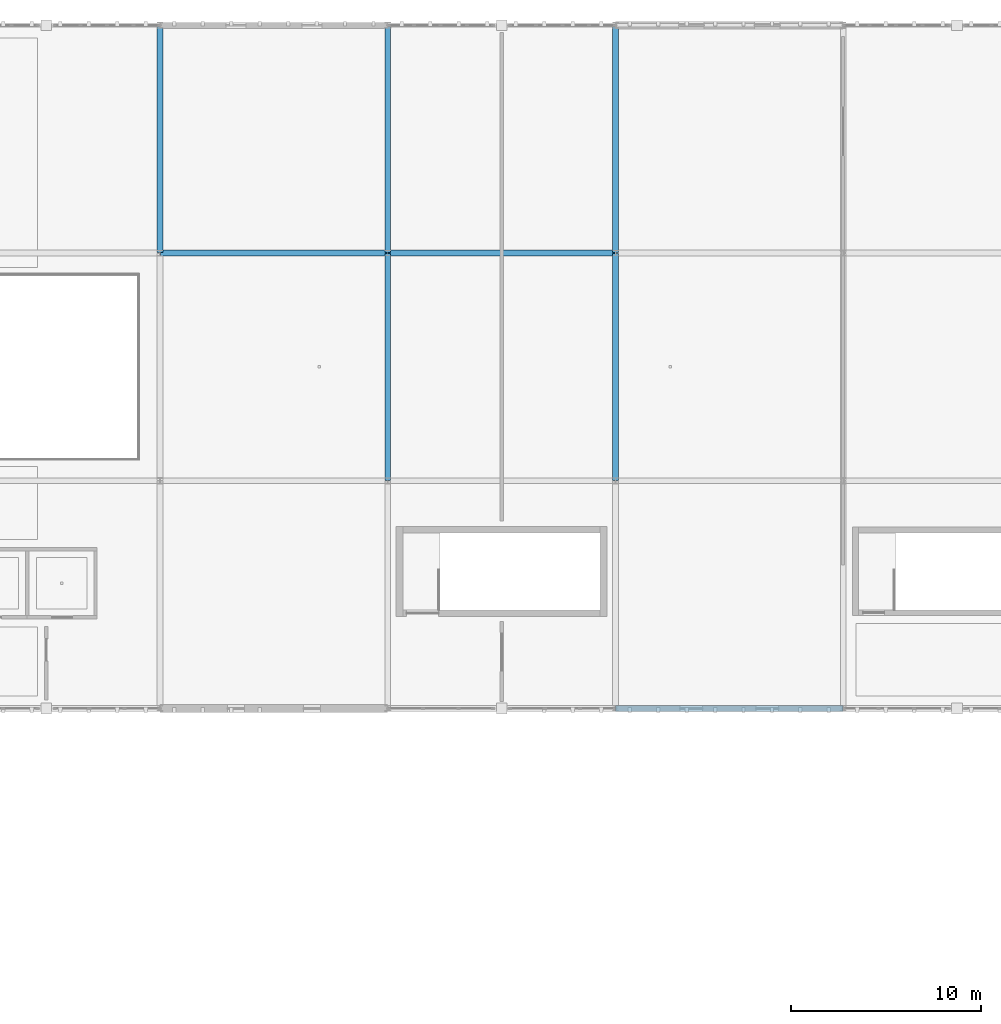
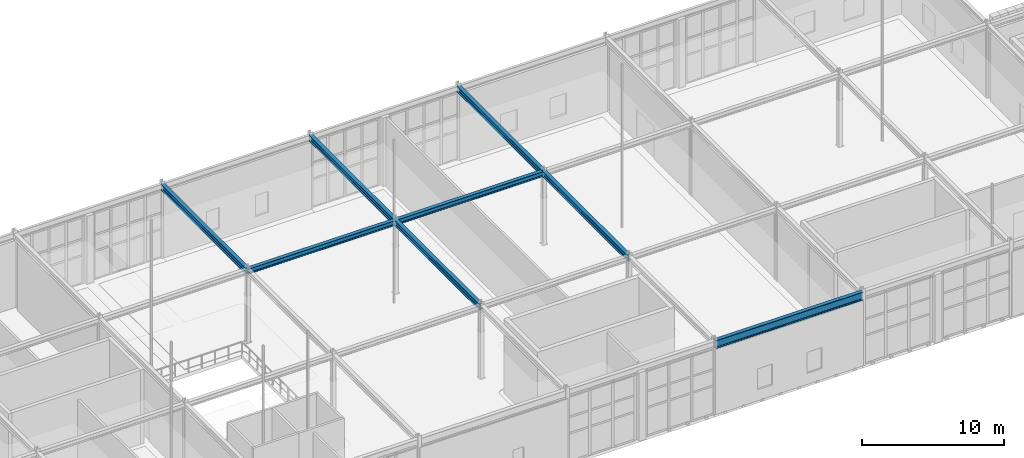
# One storey, part 19 of 62: 8 beams.
"""IFC4 building model written with IfcOpenShell, lengths in metres."""

import ifcopenshell
import ifcopenshell.guid

model = None  # the IFC model being written
_history = None  # IfcOwnerHistory: only IFC2X3 demands one
_inside = {}  # id of a spatial element -> (the spatial element, [elements in it])
_under = {}  # id of a project, library or spatial element -> (it, [spatial elements below it])
_declared = {}  # id of a project -> (the project, [libraries it declares])
_typed = {}  # id of a type object -> (the type object, [elements of that type])
_made_of = {}  # id of a material, layer set ... -> (it, [elements and type objects made of it])


def new_model(schema):
    """Start an empty IFC model of exactly this schema.

    Asked for "IFC4X3", IfcOpenShell would pick the latest addendum, in which some entities
    have other attributes; the version numbers below select the first issue.
    IFC2X3 requires an IfcOwnerHistory on every rooted entity: one is made here for all.
    """
    global model, _history
    if schema == "IFC4X3":
        model = ifcopenshell.file(schema_version=(4, 3, 0, 0))
    else:
        model = ifcopenshell.file(schema=schema)
    _inside.clear()
    _under.clear()
    _declared.clear()
    _typed.clear()
    _made_of.clear()
    _history = None
    if model.schema == "IFC2X3":
        org = make("IfcOrganization", Name="unknown")
        user = make(
            "IfcPersonAndOrganization",
            ThePerson=make("IfcPerson", FamilyName="unknown"),
            TheOrganization=org,
        )
        app = make(
            "IfcApplication",
            ApplicationDeveloper=org,
            Version="unknown",
            ApplicationFullName="unknown",
            ApplicationIdentifier="unknown",
        )
        _history = make(
            "IfcOwnerHistory",
            OwningUser=user,
            OwningApplication=app,
            ChangeAction="ADDED",
            CreationDate=0,
        )
    return model


def make(cls, **values):
    """One entity of the class cls with the attributes given. An attribute that is None is left unset."""
    return model.create_entity(
        cls, **{name: value for name, value in values.items() if value is not None}
    )


def rooted(cls, **values):
    """An entity with a GlobalId (a new one), such as an element, a storey or a relation."""
    return make(cls, GlobalId=ifcopenshell.guid.new(), OwnerHistory=_history, **values)


def si_unit(unit_type, name, prefix=None):
    """IfcSIUnit, for example si_unit("LENGTHUNIT", "METRE", prefix="MILLI")."""
    return make("IfcSIUnit", UnitType=unit_type, Prefix=prefix, Name=name)


def assignment(units):
    """IfcUnitAssignment: the units of a project."""
    return None if units is None else make("IfcUnitAssignment", Units=units)


def point(xyz):
    """IfcCartesianPoint."""
    return None if xyz is None else make("IfcCartesianPoint", Coordinates=xyz)


def direction(xyz):
    """IfcDirection."""
    return None if xyz is None else make("IfcDirection", DirectionRatios=xyz)


def frame(location, z_axis=None, x_axis=None):
    """IfcAxis2Placement3D, a coordinate frame: its origin and axes. An axis left out is left unset."""
    return make(
        "IfcAxis2Placement3D",
        Location=point(location),
        Axis=direction(z_axis),
        RefDirection=direction(x_axis),
    )


def frame_2d(location, x_axis=None):
    """IfcAxis2Placement2D, a coordinate frame in the plane: its origin and x axis."""
    return make(
        "IfcAxis2Placement2D", Location=point(location), RefDirection=direction(x_axis)
    )


def origin():
    """The frame at (0, 0, 0) with its axes left unset."""
    return frame((0.0, 0.0, 0.0))


def origin_2d():
    """The frame at (0, 0) in the plane with its x axis left unset."""
    return frame_2d((0.0, 0.0))


def place(relative_to, where):
    """IfcLocalPlacement: puts the frame where relative to a parent placement (None: the world)."""
    return make(
        "IfcLocalPlacement", PlacementRelTo=relative_to, RelativePlacement=where
    )


def context(
    kind, dimensions, precision=None, world=None, true_north=None, identifier=None
):
    """IfcGeometricRepresentationContext, for example the 3D "Model" context."""
    return make(
        "IfcGeometricRepresentationContext",
        ContextIdentifier=identifier,
        ContextType=kind,
        CoordinateSpaceDimension=dimensions,
        Precision=precision,
        WorldCoordinateSystem=world,
        TrueNorth=true_north,
    )


def subcontext(parent, identifier, kind, view, scale=None):
    """IfcGeometricRepresentationSubContext, for example "Body" below "Model"."""
    return make(
        "IfcGeometricRepresentationSubContext",
        ContextIdentifier=identifier,
        ContextType=kind,
        ParentContext=parent,
        TargetScale=scale,
        TargetView=view,
    )


def project(units=None, contexts=None):
    """IfcProject with its units and contexts."""
    return rooted(
        "IfcProject",
        Name="project",
        RepresentationContexts=contexts,
        UnitsInContext=assignment(units),
    )


def spatial(cls, under=None, at=None, **own):
    """A site, building, storey or space (cls), placed at a placement, below another one or the project."""
    s = rooted(cls, ObjectPlacement=at, **own)
    if under is not None:
        _under.setdefault(under.id(), (under, []))[1].append(s)
    return s


def profile(cls, at=None, kind="AREA", **sizes):
    """A parametric profile (cls). Its sizes go by their IFC names, for example OverallWidth=200.0."""
    return make(cls, ProfileType=kind, Position=at, **sizes)


def i_section(**sizes):
    """IfcIShapeProfileDef."""
    return profile("IfcIShapeProfileDef", **sizes)


def extrude(swept, where, along, depth):
    """IfcExtrudedAreaSolid: the profile swept, set in the frame where, extruded along a direction by depth."""
    return make(
        "IfcExtrudedAreaSolid",
        SweptArea=swept,
        Position=where,
        ExtrudedDirection=direction(along),
        Depth=depth,
    )


def shape(context_of_items, identifier, shape_type, items):
    """IfcShapeRepresentation: the items that make up one representation, for example the "Body"."""
    return make(
        "IfcShapeRepresentation",
        ContextOfItems=context_of_items,
        RepresentationIdentifier=identifier,
        RepresentationType=shape_type,
        Items=items,
    )


def material(Name=None, Category=None):
    """IfcMaterial."""
    return make("IfcMaterial", Name=Name, Category=Category)


def material_profile(
    of_material, cross_section, Name=None, Category=None, Priority=None
):
    """IfcMaterialProfile: a cross section and its material."""
    return make(
        "IfcMaterialProfile",
        Name=Name,
        Material=of_material,
        Profile=cross_section,
        Priority=Priority,
        Category=Category,
    )


def profile_set(profiles, Name=None, composite=None):
    """IfcMaterialProfileSet."""
    return make(
        "IfcMaterialProfileSet",
        Name=Name,
        MaterialProfiles=profiles,
        CompositeProfile=composite,
    )


def made_of(thing, what):
    """Note that an element or type object is made of a material, layer set ...; save() writes the relation."""
    if what is not None:
        _made_of.setdefault(what.id(), (what, []))[1].append(thing)
    return thing


def type_object(cls, material=None, **own):
    """A type object (cls), such as IfcWallType, which elements share."""
    return made_of(rooted(cls, **own), material)


def element(
    cls,
    number,
    at=None,
    inside=None,
    cuts=None,
    type_object=None,
    material=None,
    context=None,
    identifier="Body",
    shape_type=None,
    held_by="IfcProductDefinitionShape",
    body=None,
    shapes=None,
    **own,
):
    """One element of the class cls, such as IfcWall. Its Tag is "e" and its number.

    at: its placement. inside: the storey or other place that contains it. cuts: it is an
    opening in that element (IfcRelVoidsElement). A single representation is given by context,
    identifier, shape_type and body (its items); several are given by shapes. held_by: the class
    of the entity that holds the representations. save() writes the other relations.
    """
    e = rooted(cls, Tag="e%d" % number, ObjectPlacement=at, **own)
    if body is not None:
        shapes = [shape(context, identifier, shape_type, body)]
    if shapes is not None:
        e.Representation = make(held_by, Representations=shapes)
    if inside is not None:
        _inside.setdefault(inside.id(), (inside, []))[1].append(e)
    if cuts is not None:
        rooted(
            "IfcRelVoidsElement", RelatingBuildingElement=cuts, RelatedOpeningElement=e
        )
    if type_object is not None:
        _typed.setdefault(type_object.id(), (type_object, []))[1].append(e)
    return made_of(e, material)


def aggregate(whole, parts):
    """IfcRelAggregates: a whole, such as a stair, and the parts it consists of."""
    return rooted("IfcRelAggregates", RelatingObject=whole, RelatedObjects=parts)


def save(model, path):
    """Write the relations noted so far, then the file.

    IfcRelAggregates (storeys below a building ...), IfcRelContainedInSpatialStructure (elements
    in a storey), IfcRelDefinesByType, IfcRelAssociatesMaterial and IfcRelDeclares: one each for
    every whole, place, type object, material and project.
    """
    for whole, parts in _under.values():
        aggregate(whole, parts)
    for where, things in _inside.values():
        rooted(
            "IfcRelContainedInSpatialStructure",
            RelatedElements=things,
            RelatingStructure=where,
        )
    for kind, things in _typed.values():
        rooted("IfcRelDefinesByType", RelatedObjects=things, RelatingType=kind)
    for what, things in _made_of.values():
        rooted("IfcRelAssociatesMaterial", RelatedObjects=things, RelatingMaterial=what)
    for by, libraries in _declared.values():
        rooted("IfcRelDeclares", RelatingContext=by, RelatedDefinitions=libraries)
    model.write(path)


model = new_model("IFC4")

# Units and contexts
model_context = context("Model", 3, precision=1e-05, world=origin(), true_north=direction((0.0, 1.0)))
body_context = subcontext(model_context, "Body", "Model", "MODEL_VIEW")
ifc_project = project(units=[si_unit("LENGTHUNIT", "METRE"), si_unit("AREAUNIT", "SQUARE_METRE"), si_unit("VOLUMEUNIT", "CUBIC_METRE"), si_unit("PLANEANGLEUNIT", "RADIAN"), si_unit("MASSUNIT", "GRAM", prefix="KILO")], contexts=[model_context])

# Site, building, storey
site_placement = place(None, origin())
site = spatial("IfcSite", under=ifc_project, at=site_placement, CompositionType="ELEMENT")
building_placement = place(site_placement, origin())
building = spatial("IfcBuilding", under=site, at=building_placement, Name="Zlatogorsky Bluff Art Gallery", CompositionType="ELEMENT")
storey_placement = place(building_placement, frame((0.0, 0.0, 16.800048828125)))
storey = spatial("IfcBuildingStorey", under=building, at=storey_placement, Name="L03", CompositionType="ELEMENT", Elevation=16.800048828125)

# Beams
ifc_material = material(Name="Steel S355", Category="steel")
ifc_material_profile_1 = material_profile(ifc_material, i_section(OverallWidth=0.300048828125, OverallDepth=0.699951171875, WebThickness=0.01708984375, FlangeThickness=0.031982421875, FilletRadius=0.027099609375, at=origin_2d()), Name="HEB 700")
ifc_profile_set_1 = profile_set([ifc_material_profile_1], Name="Steel S355")
beam_type_1 = type_object("IfcBeamType", Name="Beam BM-02 HEB 700", PredefinedType="BEAM", material=ifc_profile_set_1)
beam_placement = place(storey_placement, frame((84.014892578125, 84.0, 5.97998046875), z_axis=(1.0, 0.0, 0.0), x_axis=(0.0, 1.0, 0.0)))
element("IfcBeam", 1, at=beam_placement, inside=storey, type_object=beam_type_1, Name="Primary girder BM-02 L03 H-J/9", PredefinedType="BEAM", context=body_context, shape_type="SweptSolid", body=[
    extrude(i_section(OverallWidth=0.300048828125, OverallDepth=0.699951171875, WebThickness=0.01708984375, FlangeThickness=0.031982421875, FilletRadius=0.027099609375, at=origin_2d()), origin(), (0.0, 0.0, 1.0), 11.97021484375),
])
ifc_material_profile_2 = material_profile(ifc_material, i_section(OverallWidth=0.300048828125, OverallDepth=0.489990234375, WebThickness=0.011962890625, FlangeThickness=0.02294921875, FilletRadius=0.027099609375, at=origin_2d()), Name="HEA 500")
ifc_profile_set_2 = profile_set([ifc_material_profile_2], Name="Steel S355")
beam_type_2 = type_object("IfcBeamType", Name="Beam BM-07 HEA 500", PredefinedType="BEAM", material=ifc_profile_set_2)
for number, where, z_axis, x_axis, name in (
    (2, (60.0, 108.014892578125, 6.0849609375), (0.0, 1.0, 0.0), (-1.0, 0.0, 0.0), "Primary girder BM-07 L03 F/11-12"),
    (3, (72.0, 96.014892578125, 6.0849609375), (0.0, 1.0, 0.0), (-1.0, 0.0, 0.0), "Primary girder BM-07 L03 G/10-11"),
    (4, (72.0, 108.014892578125, 6.0849609375), (0.0, 1.0, 0.0), (-1.0, 0.0, 0.0), "Primary girder BM-07 L03 G/11-12"),
    (5, (84.0, 96.014892578125, 6.0849609375), (0.0, 1.0, 0.0), (-1.0, 0.0, 0.0), "Primary girder BM-07 L03 H/10-11"),
    (6, (84.0, 108.014892578125, 6.0849609375), (0.0, 1.0, 0.0), (-1.0, 0.0, 0.0), "Primary girder BM-07 L03 H/11-12"),
):
    element("IfcBeam", number, at=place(storey_placement, frame(where, z_axis=z_axis, x_axis=x_axis)), inside=storey, type_object=beam_type_2, Name=name, PredefinedType="BEAM", context=body_context, shape_type="SweptSolid", body=[
        extrude(i_section(OverallWidth=0.300048828125, OverallDepth=0.489990234375, WebThickness=0.011962890625, FlangeThickness=0.02294921875, FilletRadius=0.027099609375, at=origin_2d()), origin(), (0.0, 0.0, 1.0), 11.97021484375),
    ])
ifc_material_profile_3 = material_profile(ifc_material, i_section(OverallWidth=0.300048828125, OverallDepth=0.43994140625, WebThickness=0.011474609375, FlangeThickness=0.02099609375, FilletRadius=0.027099609375, at=origin_2d()), Name="HEA 450")
ifc_profile_set_3 = profile_set([ifc_material_profile_3], Name="Steel S355")
beam_type_3 = type_object("IfcBeamType", Name="Beam BM-08 HEA 450", PredefinedType="BEAM", material=ifc_profile_set_3)
for number, where, z_axis, x_axis, name in (
    (7, (60.014892578125, 108.0, 6.10986328125), (1.0, 0.0, 0.0), (0.0, 1.0, 0.0), "Primary girder BM-08 L03 F-G/11"),
    (8, (72.014892578125, 108.0, 6.10986328125), (1.0, 0.0, 0.0), (0.0, 1.0, 0.0), "Primary girder BM-08 L03 G-H/11"),
):
    element("IfcBeam", number, at=place(storey_placement, frame(where, z_axis=z_axis, x_axis=x_axis)), inside=storey, type_object=beam_type_3, Name=name, PredefinedType="BEAM", context=body_context, shape_type="SweptSolid", body=[
        extrude(i_section(OverallWidth=0.300048828125, OverallDepth=0.43994140625, WebThickness=0.011474609375, FlangeThickness=0.02099609375, FilletRadius=0.027099609375, at=origin_2d()), origin(), (0.0, 0.0, 1.0), 11.97021484375),
    ])

save(model, "model.ifc")
